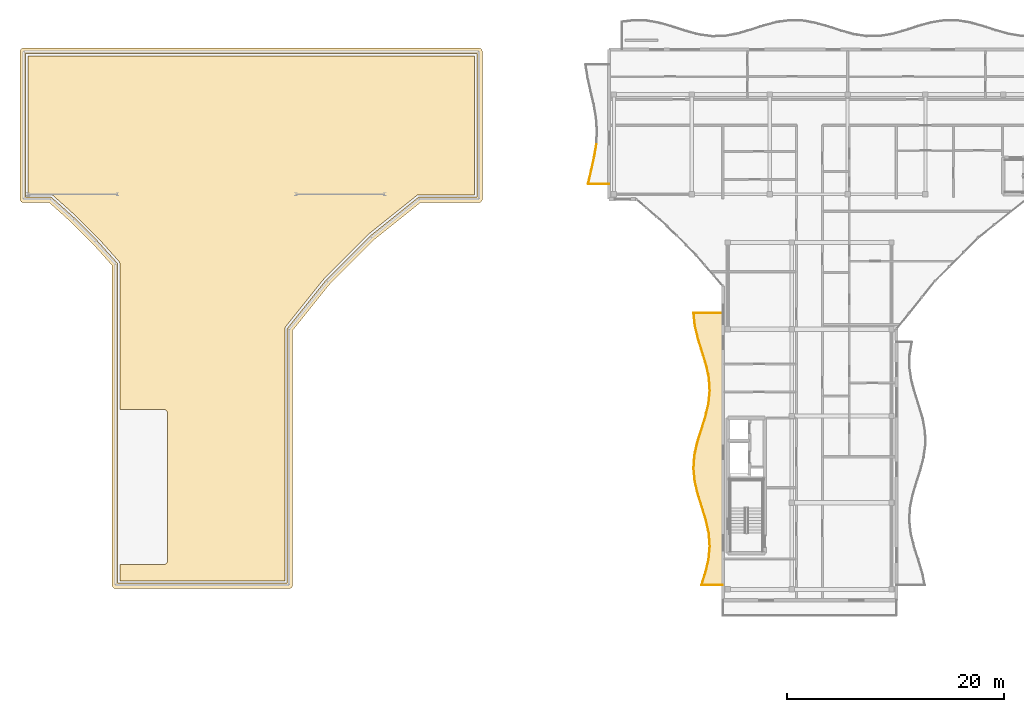
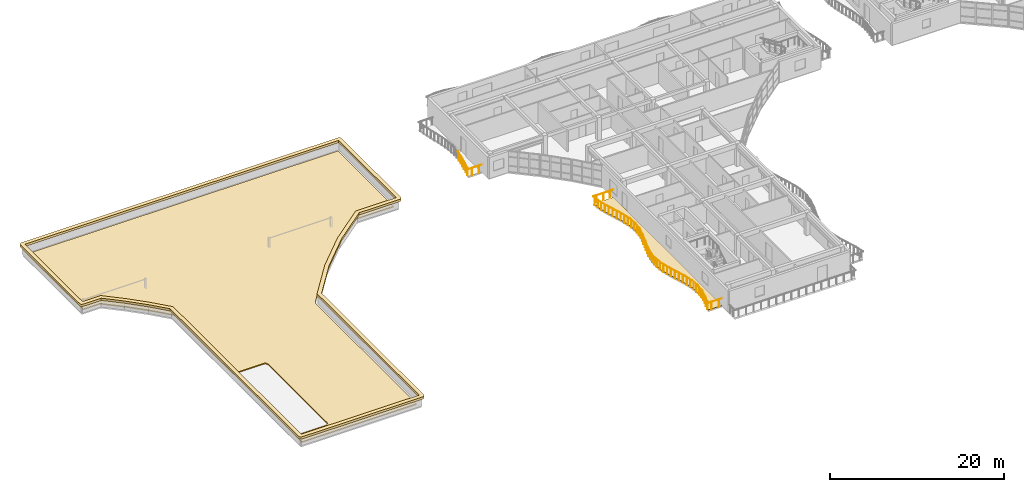
# One storey, part 30 of 39: 27 railings, 3 coverings.
"""IFC4 building model written with IfcOpenShell, lengths in metres."""

from ifc_helpers import new_model, si_unit, direction, frame, origin, origin_2d, place, context, subcontext, project, spatial, polyline, circle, outline, extrude, material, layer, layer_set, type_object, element, save


model = new_model("IFC4")

# Units and contexts
model_context = context("Model", 3, precision=1e-05, world=origin(), true_north=direction((0.0, 1.0)))
body_context = subcontext(model_context, "Body", "Model", "MODEL_VIEW")
ifc_project = project(units=[si_unit("LENGTHUNIT", "METRE"), si_unit("AREAUNIT", "SQUARE_METRE"), si_unit("VOLUMEUNIT", "CUBIC_METRE"), si_unit("PLANEANGLEUNIT", "RADIAN"), si_unit("MASSUNIT", "GRAM", prefix="KILO")], contexts=[model_context])

# Site, building, storey
site_placement = place(None, origin())
site = spatial("IfcSite", under=ifc_project, at=site_placement, CompositionType="ELEMENT")
building_placement = place(site_placement, origin())
building = spatial("IfcBuilding", under=site, at=building_placement, Name="Keldmere Railside Commons", CompositionType="ELEMENT")
storey_placement = place(building_placement, frame((0.0, 0.0, 32.9599609375)))
storey = spatial("IfcBuildingStorey", under=building, at=storey_placement, Name="L10", CompositionType="ELEMENT", Elevation=32.9599609375)

# Railings
ifc_material_1 = material(Name="Steel F-24 (S235)", Category="steel")
railing_type = type_object("IfcRailingType", Name="Balcony & Terrace Steel Balustrade 1100", PredefinedType="BALUSTRADE", material=ifc_material_1)
railing_1_placement = place(storey_placement, frame((104.0, 64.39990234375, 0.0)))
element("IfcRailing", 1, at=railing_1_placement, inside=storey, type_object=railing_type, Name="GR-1 GRD-L10-3005", PredefinedType="BALUSTRADE", context=body_context, shape_type="SweptSolid", body=[
    extrude(circle(Radius=0.02392578125, at=origin_2d()), frame((0.0, 0.0, 1.076171875), z_axis=(-1.0, 0.0, 0.0), x_axis=(0.0, -1.0, 0.0)), (0.0, 0.0, 1.0), 1.968505859375),
    extrude(circle(Radius=0.02099609375, at=origin_2d()), frame((-0.4921875, 0.0, 0.0)), (0.0, 0.0, 1.0), 1.048095703125),
    extrude(circle(Radius=0.02099609375, at=origin_2d()), frame((-1.476318359375, 0.0, 0.0)), (0.0, 0.0, 1.0), 1.048095703125),
])
railing_2_placement = place(storey_placement, frame((102.031494140625, 64.39990234375, 0.0)))
element("IfcRailing", 2, at=railing_2_placement, inside=storey, type_object=railing_type, Name="GR-1 GRD-L10-3006", PredefinedType="BALUSTRADE", context=body_context, shape_type="SweptSolid", body=[
    extrude(circle(Radius=0.02392578125, at=origin_2d()), frame((0.0, 0.0, 1.076171875), z_axis=(0.300049507952, 0.953923630475, 0.0), x_axis=(-0.953923630475, 0.300049507952, 0.0)), (0.0, 0.0, 1.0), 1.2529296875),
    extrude(circle(Radius=0.02099609375, at=origin_2d()), frame((0.093994140625, 0.298828125, 0.0)), (0.0, 0.0, 1.0), 1.048095703125),
    extrude(circle(Radius=0.02099609375, at=origin_2d()), frame((0.281982421875, 0.896484375, 0.0)), (0.0, 0.0, 1.0), 1.048095703125),
])
railing_3_placement = place(storey_placement, frame((102.407470703125, 65.59521484375, 0.0)))
element("IfcRailing", 3, at=railing_3_placement, inside=storey, type_object=railing_type, Name="GR-1 GRD-L10-3007", PredefinedType="BALUSTRADE", context=body_context, shape_type="SweptSolid", body=[
    extrude(circle(Radius=0.02392578125, at=origin_2d()), frame((0.0, 0.0, 1.076171875), z_axis=(0.228850931836, 0.973461478949, 0.0), x_axis=(-0.973461478949, 0.228850931836, 0.0)), (0.0, 0.0, 1.0), 1.227783203125),
    extrude(circle(Radius=0.02099609375, at=origin_2d()), frame((0.0703125, 0.298828125, 0.0)), (0.0, 0.0, 1.0), 1.048095703125),
    extrude(circle(Radius=0.02099609375, at=origin_2d()), frame((0.210693359375, 0.896484375, 0.0)), (0.0, 0.0, 1.0), 1.048095703125),
])
railing_4_placement = place(storey_placement, frame((102.6884765625, 66.79052734375, 0.0)))
element("IfcRailing", 4, at=railing_4_placement, inside=storey, type_object=railing_type, Name="GR-1 GRD-L10-3008", PredefinedType="BALUSTRADE", context=body_context, shape_type="SweptSolid", body=[
    extrude(circle(Radius=0.02392578125, at=origin_2d()), frame((0.0, 0.0, 1.076171875), z_axis=(0.092553019351, 0.995707757632, 0.0), x_axis=(-0.995707757632, 0.092553019351, 0.0)), (0.0, 0.0, 1.0), 1.2001953125),
    extrude(circle(Radius=0.02099609375, at=origin_2d()), frame((0.02783203125, 0.298828125, 0.0)), (0.0, 0.0, 1.0), 1.048095703125),
    extrude(circle(Radius=0.02099609375, at=origin_2d()), frame((0.083251953125, 0.896240234375, 0.0)), (0.0, 0.0, 1.0), 1.048095703125),
])
railing_5_placement = place(storey_placement, frame((102.799560546875, 67.985595703125, 0.0)))
element("IfcRailing", 5, at=railing_5_placement, inside=storey, type_object=railing_type, Name="GR-1 GRD-L10-3009", PredefinedType="BALUSTRADE", context=body_context, shape_type="SweptSolid", body=[
    extrude(circle(Radius=0.02392578125, at=origin_2d()), frame((0.0, 0.0, 1.076171875), z_axis=(-0.073331443036, 0.99730762529, 0.0), x_axis=(-0.99730762529, -0.073331443036, 0.0)), (0.0, 0.0, 1.0), 1.198486328125),
    extrude(circle(Radius=0.02099609375, at=origin_2d()), frame((-0.02197265625, 0.298828125, 0.0)), (0.0, 0.0, 1.0), 1.048095703125),
    extrude(circle(Radius=0.02099609375, at=origin_2d()), frame((-0.06591796875, 0.896484375, 0.0)), (0.0, 0.0, 1.0), 1.048095703125),
])
railing_6_placement = place(storey_placement, frame((102.711669921875, 69.180908203125, 0.0)))
element("IfcRailing", 6, at=railing_6_placement, inside=storey, type_object=railing_type, Name="GR-1 GRD-L10-3010", PredefinedType="BALUSTRADE", context=body_context, shape_type="SweptSolid", body=[
    extrude(circle(Radius=0.02392578125, at=origin_2d()), frame((0.0, 0.0, 1.076171875), z_axis=(-0.215790003827, 0.976439795506, 0.0), x_axis=(-0.976439795506, -0.215790003827, 0.0)), (0.0, 0.0, 1.0), 1.22412109375),
    extrude(circle(Radius=0.02099609375, at=origin_2d()), frame((-0.06591796875, 0.298828125, 0.0)), (0.0, 0.0, 1.0), 1.048095703125),
    extrude(circle(Radius=0.02099609375, at=origin_2d()), frame((-0.1982421875, 0.896484375, 0.0)), (0.0, 0.0, 1.0), 1.048095703125),
])
railing_7_placement = place(storey_placement, frame((102.447509765625, 70.376220703125, 0.0)))
element("IfcRailing", 7, at=railing_7_placement, inside=storey, type_object=railing_type, Name="GR-1 GRD-L10-3011", PredefinedType="BALUSTRADE", context=body_context, shape_type="SweptSolid", body=[
    extrude(circle(Radius=0.02392578125, at=origin_2d()), frame((0.0, 0.0, 1.076171875), z_axis=(-0.295484413973, 0.955347560367, 0.0), x_axis=(-0.955347560367, -0.295484413973, 0.0)), (0.0, 0.0, 1.0), 1.2509765625),
    extrude(circle(Radius=0.02099609375, at=origin_2d()), frame((-0.09228515625, 0.298828125, 0.0)), (0.0, 0.0, 1.0), 1.048095703125),
    extrude(circle(Radius=0.02099609375, at=origin_2d()), frame((-0.27734375, 0.896240234375, 0.0)), (0.0, 0.0, 1.0), 1.048095703125),
])
railing_8_placement = place(storey_placement, frame((102.077880859375, 71.5712890625, 0.0)))
element("IfcRailing", 8, at=railing_8_placement, inside=storey, type_object=railing_type, Name="GR-1 GRD-L10-3012", PredefinedType="BALUSTRADE", context=body_context, shape_type="SweptSolid", body=[
    extrude(circle(Radius=0.02392578125, at=origin_2d()), frame((0.0, 0.0, 1.076171875), z_axis=(-0.300935600007, 0.953644464488, 0.0), x_axis=(-0.953644464488, -0.300935600007, 0.0)), (0.0, 0.0, 1.0), 1.25341796875),
    extrude(circle(Radius=0.02099609375, at=origin_2d()), frame((-0.09423828125, 0.298828125, 0.0)), (0.0, 0.0, 1.0), 1.048095703125),
    extrude(circle(Radius=0.02099609375, at=origin_2d()), frame((-0.282958984375, 0.896484375, 0.0)), (0.0, 0.0, 1.0), 1.048095703125),
])
railing_9_placement = place(storey_placement, frame((101.70068359375, 72.7666015625, 0.0)))
element("IfcRailing", 9, at=railing_9_placement, inside=storey, type_object=railing_type, Name="GR-1 GRD-L10-3013", PredefinedType="BALUSTRADE", context=body_context, shape_type="SweptSolid", body=[
    extrude(circle(Radius=0.02392578125, at=origin_2d()), frame((0.0, 0.0, 1.076171875), z_axis=(-0.231298144271, 0.972882916109, 0.0), x_axis=(-0.972882916109, -0.231298144271, 0.0)), (0.0, 0.0, 1.0), 1.228515625),
    extrude(circle(Radius=0.02099609375, at=origin_2d()), frame((-0.071044921875, 0.298828125, 0.0)), (0.0, 0.0, 1.0), 1.048095703125),
    extrude(circle(Radius=0.02099609375, at=origin_2d()), frame((-0.213134765625, 0.896484375, 0.0)), (0.0, 0.0, 1.0), 1.048095703125),
])
railing_10_placement = place(storey_placement, frame((101.41650390625, 73.9619140625, 0.0)))
element("IfcRailing", 10, at=railing_10_placement, inside=storey, type_object=railing_type, Name="GR-1 GRD-L10-3014", PredefinedType="BALUSTRADE", context=body_context, shape_type="SweptSolid", body=[
    extrude(circle(Radius=0.02392578125, at=origin_2d()), frame((0.0, 0.0, 1.076171875), z_axis=(-0.096382680857, 0.995344351886, 0.0), x_axis=(-0.995344351886, -0.096382680857, 0.0)), (0.0, 0.0, 1.0), 1.20068359375),
    extrude(circle(Radius=0.02099609375, at=origin_2d()), frame((-0.02880859375, 0.298828125, 0.0)), (0.0, 0.0, 1.0), 1.048095703125),
    extrude(circle(Radius=0.02099609375, at=origin_2d()), frame((-0.0869140625, 0.896240234375, 0.0)), (0.0, 0.0, 1.0), 1.048095703125),
])
railing_11_placement = place(storey_placement, frame((101.30078125, 75.156982421875, 0.0)))
element("IfcRailing", 11, at=railing_11_placement, inside=storey, type_object=railing_type, Name="GR-1 GRD-L10-3015", PredefinedType="BALUSTRADE", context=body_context, shape_type="SweptSolid", body=[
    extrude(circle(Radius=0.02392578125, at=origin_2d()), frame((0.0, 0.0, 1.076171875), z_axis=(0.069480374112, 0.997583318632, 0.0), x_axis=(-0.997583318632, 0.069480374112, 0.0)), (0.0, 0.0, 1.0), 1.1982421875),
    extrude(circle(Radius=0.02099609375, at=origin_2d()), frame((0.020751953125, 0.298828125, 0.0)), (0.0, 0.0, 1.0), 1.048095703125),
    extrude(circle(Radius=0.02099609375, at=origin_2d()), frame((0.0625, 0.896484375, 0.0)), (0.0, 0.0, 1.0), 1.048095703125),
])
railing_12_placement = place(storey_placement, frame((101.384033203125, 76.352294921875, 0.0)))
element("IfcRailing", 12, at=railing_12_placement, inside=storey, type_object=railing_type, Name="GR-1 GRD-L10-3016", PredefinedType="BALUSTRADE", context=body_context, shape_type="SweptSolid", body=[
    extrude(circle(Radius=0.02392578125, at=origin_2d()), frame((0.0, 0.0, 1.076171875), z_axis=(0.212935010476, 0.977066364846, 0.0), x_axis=(-0.977066364846, 0.212935010476, 0.0)), (0.0, 0.0, 1.0), 1.223388671875),
    extrude(circle(Radius=0.02099609375, at=origin_2d()), frame((0.065185546875, 0.298828125, 0.0)), (0.0, 0.0, 1.0), 1.048095703125),
    extrude(circle(Radius=0.02099609375, at=origin_2d()), frame((0.1953125, 0.896484375, 0.0)), (0.0, 0.0, 1.0), 1.048095703125),
])
railing_13_placement = place(storey_placement, frame((101.64453125, 77.547607421875, 0.0)))
element("IfcRailing", 13, at=railing_13_placement, inside=storey, type_object=railing_type, Name="GR-1 GRD-L10-3017", PredefinedType="BALUSTRADE", context=body_context, shape_type="SweptSolid", body=[
    extrude(circle(Radius=0.02392578125, at=origin_2d()), frame((0.0, 0.0, 1.076171875), z_axis=(0.294360170526, 0.955694558951, 0.0), x_axis=(-0.955694558951, 0.294360170526, 0.0)), (0.0, 0.0, 1.0), 1.250732421875),
    extrude(circle(Radius=0.02099609375, at=origin_2d()), frame((0.092041015625, 0.298828125, 0.0)), (0.0, 0.0, 1.0), 1.048095703125),
    extrude(circle(Radius=0.02099609375, at=origin_2d()), frame((0.276123046875, 0.896484375, 0.0)), (0.0, 0.0, 1.0), 1.048095703125),
])
railing_14_placement = place(storey_placement, frame((102.0126953125, 78.742919921875, 0.0)))
element("IfcRailing", 14, at=railing_14_placement, inside=storey, type_object=railing_type, Name="GR-1 GRD-L10-3018", PredefinedType="BALUSTRADE", context=body_context, shape_type="SweptSolid", body=[
    extrude(circle(Radius=0.02392578125, at=origin_2d()), frame((0.0, 0.0, 1.076171875), z_axis=(0.301699927313, 0.953402933633, 0.0), x_axis=(-0.953402933633, 0.301699927313, 0.0)), (0.0, 0.0, 1.0), 1.25341796875),
    extrude(circle(Radius=0.02099609375, at=origin_2d()), frame((0.094482421875, 0.298828125, 0.0)), (0.0, 0.0, 1.0), 1.048095703125),
    extrude(circle(Radius=0.02099609375, at=origin_2d()), frame((0.28369140625, 0.896240234375, 0.0)), (0.0, 0.0, 1.0), 1.048095703125),
])
railing_15_placement = place(storey_placement, frame((102.390869140625, 79.93798828125, 0.0)))
element("IfcRailing", 15, at=railing_15_placement, inside=storey, type_object=railing_type, Name="GR-1 GRD-L10-3019", PredefinedType="BALUSTRADE", context=body_context, shape_type="SweptSolid", body=[
    extrude(circle(Radius=0.02392578125, at=origin_2d()), frame((0.0, 0.0, 1.076171875), z_axis=(0.233928701488, 0.972253754233, 0.0), x_axis=(-0.972253754233, 0.233928701488, 0.0)), (0.0, 0.0, 1.0), 1.2294921875),
    extrude(circle(Radius=0.02099609375, at=origin_2d()), frame((0.07177734375, 0.298828125, 0.0)), (0.0, 0.0, 1.0), 1.048095703125),
    extrude(circle(Radius=0.02099609375, at=origin_2d()), frame((0.2158203125, 0.896484375, 0.0)), (0.0, 0.0, 1.0), 1.048095703125),
])
railing_16_placement = place(storey_placement, frame((102.678466796875, 81.13330078125, 0.0)))
element("IfcRailing", 16, at=railing_16_placement, inside=storey, type_object=railing_type, Name="GR-1 GRD-L10-3020", PredefinedType="BALUSTRADE", context=body_context, shape_type="SweptSolid", body=[
    extrude(circle(Radius=0.02392578125, at=origin_2d()), frame((0.0, 0.0, 1.076171875), z_axis=(0.100187804789, 0.994968544112, 0.0), x_axis=(-0.994968544112, 0.100187804789, 0.0)), (0.0, 0.0, 1.0), 1.201416015625),
    extrude(circle(Radius=0.02099609375, at=origin_2d()), frame((0.030029296875, 0.298828125, 0.0)), (0.0, 0.0, 1.0), 1.048095703125),
    extrude(circle(Radius=0.02099609375, at=origin_2d()), frame((0.09033203125, 0.896484375, 0.0)), (0.0, 0.0, 1.0), 1.048095703125),
])
railing_17_placement = place(storey_placement, frame((102.798828125, 82.32861328125, 0.0)))
element("IfcRailing", 17, at=railing_17_placement, inside=storey, type_object=railing_type, Name="GR-1 GRD-L10-3021", PredefinedType="BALUSTRADE", context=body_context, shape_type="SweptSolid", body=[
    extrude(circle(Radius=0.02392578125, at=origin_2d()), frame((0.0, 0.0, 1.076171875), z_axis=(-0.065639545386, 0.997843399578, 0.0), x_axis=(-0.997843399578, -0.065639545386, 0.0)), (0.0, 0.0, 1.0), 1.19775390625),
    extrude(circle(Radius=0.02099609375, at=origin_2d()), frame((-0.01953125, 0.298828125, 0.0)), (0.0, 0.0, 1.0), 1.048095703125),
    extrude(circle(Radius=0.02099609375, at=origin_2d()), frame((-0.05908203125, 0.896240234375, 0.0)), (0.0, 0.0, 1.0), 1.048095703125),
])
railing_18_placement = place(storey_placement, frame((102.72021484375, 83.523681640625, 0.0)))
element("IfcRailing", 18, at=railing_18_placement, inside=storey, type_object=railing_type, Name="GR-1 GRD-L10-3022", PredefinedType="BALUSTRADE", context=body_context, shape_type="SweptSolid", body=[
    extrude(circle(Radius=0.02392578125, at=origin_2d()), frame((0.0, 0.0, 1.076171875), z_axis=(-0.210074552505, 0.977685369835, 0.0), x_axis=(-0.977685369835, -0.210074552505, 0.0)), (0.0, 0.0, 1.0), 1.22265625),
    extrude(circle(Radius=0.02099609375, at=origin_2d()), frame((-0.064208984375, 0.298828125, 0.0)), (0.0, 0.0, 1.0), 1.048095703125),
    extrude(circle(Radius=0.02099609375, at=origin_2d()), frame((-0.192626953125, 0.896484375, 0.0)), (0.0, 0.0, 1.0), 1.048095703125),
])
railing_19_placement = place(storey_placement, frame((102.46337890625, 84.718994140625, 0.0)))
element("IfcRailing", 19, at=railing_19_placement, inside=storey, type_object=railing_type, Name="GR-1 GRD-L10-3023", PredefinedType="BALUSTRADE", context=body_context, shape_type="SweptSolid", body=[
    extrude(circle(Radius=0.02392578125, at=origin_2d()), frame((0.0, 0.0, 1.076171875), z_axis=(-0.29328990499, 0.956023551818, 0.0), x_axis=(-0.956023551818, -0.29328990499, 0.0)), (0.0, 0.0, 1.0), 1.250244140625),
    extrude(circle(Radius=0.02099609375, at=origin_2d()), frame((-0.091796875, 0.298828125, 0.0)), (0.0, 0.0, 1.0), 1.048095703125),
    extrude(circle(Radius=0.02099609375, at=origin_2d()), frame((-0.27490234375, 0.896484375, 0.0)), (0.0, 0.0, 1.0), 1.048095703125),
])
railing_20_placement = place(storey_placement, frame((102.0966796875, 85.914306640625, 0.0)))
element("IfcRailing", 20, at=railing_20_placement, inside=storey, type_object=railing_type, Name="GR-1 GRD-L10-3024", PredefinedType="BALUSTRADE", context=body_context, shape_type="SweptSolid", body=[
    extrude(circle(Radius=0.02392578125, at=origin_2d()), frame((0.0, 0.0, 1.076171875), z_axis=(-0.302351726925, 0.953196429507, 0.0), x_axis=(-0.953196429507, -0.302351726925, 0.0)), (0.0, 0.0, 1.0), 1.25390625),
    extrude(circle(Radius=0.02099609375, at=origin_2d()), frame((-0.0947265625, 0.298828125, 0.0)), (0.0, 0.0, 1.0), 1.048095703125),
    extrude(circle(Radius=0.02099609375, at=origin_2d()), frame((-0.284423828125, 0.896484375, 0.0)), (0.0, 0.0, 1.0), 1.048095703125),
])
railing_21_placement = place(storey_placement, frame((101.717529296875, 87.109619140625, 0.0)))
element("IfcRailing", 21, at=railing_21_placement, inside=storey, type_object=railing_type, Name="GR-1 GRD-L10-3025", PredefinedType="BALUSTRADE", context=body_context, shape_type="SweptSolid", body=[
    extrude(circle(Radius=0.02392578125, at=origin_2d()), frame((0.0, 0.0, 1.076171875), z_axis=(-0.236412360461, 0.971652816505, 0.0), x_axis=(-0.971652816505, -0.236412360461, 0.0)), (0.0, 0.0, 1.0), 1.22998046875),
    extrude(circle(Radius=0.02099609375, at=origin_2d()), frame((-0.07275390625, 0.298828125, 0.0)), (0.0, 0.0, 1.0), 1.048095703125),
    extrude(circle(Radius=0.02099609375, at=origin_2d()), frame((-0.218017578125, 0.896240234375, 0.0)), (0.0, 0.0, 1.0), 1.048095703125),
])
railing_22_placement = place(storey_placement, frame((101.4267578125, 88.3046875, 0.0)))
element("IfcRailing", 22, at=railing_22_placement, inside=storey, type_object=railing_type, Name="GR-1 GRD-L10-3026", PredefinedType="BALUSTRADE", context=body_context, shape_type="SweptSolid", body=[
    extrude(circle(Radius=0.02392578125, at=origin_2d()), frame((0.0, 0.0, 1.076171875), z_axis=(-0.104007995922, 0.994576461005, 0.0), x_axis=(-0.994576461005, -0.104007995922, 0.0)), (0.0, 0.0, 1.0), 1.201904296875),
    extrude(circle(Radius=0.02099609375, at=origin_2d()), frame((-0.03125, 0.298828125, 0.0)), (0.0, 0.0, 1.0), 1.048095703125),
    extrude(circle(Radius=0.02099609375, at=origin_2d()), frame((-0.09375, 0.896484375, 0.0)), (0.0, 0.0, 1.0), 1.048095703125),
])
railing_23_placement = place(storey_placement, frame((101.3017578125, 89.5, 0.0)))
element("IfcRailing", 23, at=railing_23_placement, inside=storey, type_object=railing_type, Name="GR-1 GRD-L10-3027", PredefinedType="BALUSTRADE", context=body_context, shape_type="SweptSolid", body=[
    extrude(circle(Radius=0.02392578125, at=origin_2d()), frame((0.0, 0.0, 1.076171875), z_axis=(1.0, 0.0, 0.0), x_axis=(0.0, 1.0, 0.0)), (0.0, 0.0, 1.0), 2.6982421875),
    extrude(circle(Radius=0.02099609375, at=origin_2d()), frame((0.44970703125, 0.0, 0.0)), (0.0, 0.0, 1.0), 1.048095703125),
    extrude(circle(Radius=0.02099609375, at=origin_2d()), frame((1.34912109375, 0.0, 0.0)), (0.0, 0.0, 1.0), 1.048095703125),
    extrude(circle(Radius=0.02099609375, at=origin_2d()), frame((2.24853515625, 0.0, 0.0)), (0.0, 0.0, 1.0), 1.048095703125),
])
railing_24_placement = place(storey_placement, frame((93.5, 101.39990234375, 0.0)))
element("IfcRailing", 24, at=railing_24_placement, inside=storey, type_object=railing_type, Name="GR-1 GRD-L10-3039", PredefinedType="BALUSTRADE", context=body_context, shape_type="SweptSolid", body=[
    extrude(circle(Radius=0.02392578125, at=origin_2d()), frame((0.0, 0.0, 1.076171875), z_axis=(-1.0, 0.0, 0.0), x_axis=(0.0, -1.0, 0.0)), (0.0, 0.0, 1.0), 1.925537109375),
    extrude(circle(Radius=0.02099609375, at=origin_2d()), frame((-0.4814453125, 0.0, 0.0)), (0.0, 0.0, 1.0), 1.048095703125),
    extrude(circle(Radius=0.02099609375, at=origin_2d()), frame((-1.444091796875, 0.0, 0.0)), (0.0, 0.0, 1.0), 1.048095703125),
])
railing_25_placement = place(storey_placement, frame((91.574462890625, 101.39990234375, 0.0)))
element("IfcRailing", 25, at=railing_25_placement, inside=storey, type_object=railing_type, Name="GR-1 GRD-L10-3040", PredefinedType="BALUSTRADE", context=body_context, shape_type="SweptSolid", body=[
    extrude(circle(Radius=0.02392578125, at=origin_2d()), frame((0.0, 0.0, 1.076171875), z_axis=(0.223480192677, 0.974708471022, 0.0), x_axis=(-0.974708471022, 0.223480192677, 0.0)), (0.0, 0.0, 1.0), 1.254150390625),
    extrude(circle(Radius=0.02099609375, at=origin_2d()), frame((0.070068359375, 0.3056640625, 0.0)), (0.0, 0.0, 1.0), 1.048095703125),
    extrude(circle(Radius=0.02099609375, at=origin_2d()), frame((0.210205078125, 0.916748046875, 0.0)), (0.0, 0.0, 1.0), 1.048095703125),
])
railing_26_placement = place(storey_placement, frame((91.854736328125, 102.622314453125, 0.0)))
element("IfcRailing", 26, at=railing_26_placement, inside=storey, type_object=railing_type, Name="GR-1 GRD-L10-3041", PredefinedType="BALUSTRADE", context=body_context, shape_type="SweptSolid", body=[
    extrude(circle(Radius=0.02392578125, at=origin_2d()), frame((0.0, 0.0, 1.076171875), z_axis=(0.222412301998, 0.97495270035, 0.0), x_axis=(-0.97495270035, 0.222412301998, 0.0)), (0.0, 0.0, 1.0), 1.253662109375),
    extrude(circle(Radius=0.02099609375, at=origin_2d()), frame((0.06982421875, 0.3056640625, 0.0)), (0.0, 0.0, 1.0), 1.048095703125),
    extrude(circle(Radius=0.02099609375, at=origin_2d()), frame((0.208984375, 0.91650390625, 0.0)), (0.0, 0.0, 1.0), 1.048095703125),
])
railing_27_placement = place(storey_placement, frame((92.133544921875, 103.844482421875, 0.0)))
element("IfcRailing", 27, at=railing_27_placement, inside=storey, type_object=railing_type, Name="GR-1 GRD-L10-3042", PredefinedType="BALUSTRADE", context=body_context, shape_type="SweptSolid", body=[
    extrude(circle(Radius=0.02392578125, at=origin_2d()), frame((0.0, 0.0, 1.076171875), z_axis=(0.161649141227, 0.986848293883, 0.0), x_axis=(-0.986848293883, 0.161649141227, 0.0)), (0.0, 0.0, 1.0), 1.238525390625),
    extrude(circle(Radius=0.02099609375, at=origin_2d()), frame((0.050048828125, 0.3056640625, 0.0)), (0.0, 0.0, 1.0), 1.048095703125),
    extrude(circle(Radius=0.02099609375, at=origin_2d()), frame((0.150146484375, 0.91650390625, 0.0)), (0.0, 0.0, 1.0), 1.048095703125),
])

# Coverings
ifc_material_2 = material(Name="Native Planted Green-Roof Substrate", Category="earth")
ifc_layer_1 = layer(ifc_material_2, 0.14990234375, Name="Native Green-Roof Planted Substrate 150")
ifc_layer_set_1 = layer_set([ifc_layer_1], Name="Native Planted Green-Roof Substrate")
covering_type_1 = type_object("IfcCoveringType", Name="Native Green-Roof Planted Substrate 150", PredefinedType="ROOFING", material=ifc_layer_set_1)
covering_1_placement = place(storey_placement, origin())
element("IfcCovering", 28, at=covering_1_placement, inside=storey, type_object=covering_type_1, Name="Roof Green Substrate Block C", PredefinedType="ROOFING", context=body_context, shape_type="SweptSolid", body=[
    extrude(outline(polyline([(48.39990234375, 80.60009765625), (52.39990234375, 80.60009765625), (52.439208984375, 80.59814453125), (52.47802734375, 80.59228515625), (52.51611328125, 80.582763671875), (52.552978515625, 80.569580078125), (52.588623046875, 80.552734375), (52.622314453125, 80.53271484375), (52.65380859375, 80.50927734375), (52.682861328125, 80.48291015625), (52.709228515625, 80.453857421875), (52.732666015625, 80.422119140625), (52.752685546875, 80.388671875), (52.76953125, 80.35302734375), (52.78271484375, 80.316162109375), (52.792236328125, 80.278076171875), (52.798095703125, 80.2392578125), (52.800048828125, 80.199951171875), (52.800048828125, 66.699951171875), (52.798095703125, 66.660888671875), (52.792236328125, 66.6220703125), (52.78271484375, 66.583984375), (52.76953125, 66.546875), (52.752685546875, 66.511474609375), (52.732666015625, 66.477783203125), (52.709228515625, 66.4462890625), (52.682861328125, 66.417236328125), (52.65380859375, 66.390869140625), (52.622314453125, 66.367431640625), (52.588623046875, 66.34716796875), (52.552978515625, 66.330322265625), (52.51611328125, 66.317138671875), (52.47802734375, 66.3076171875), (52.439208984375, 66.302001953125), (52.39990234375, 66.300048828125), (48.39990234375, 66.300048828125), (48.39990234375, 64.800048828125), (63.60009765625, 64.800048828125), (63.60009765625, 88.0), (63.601806640625, 88.03857421875), (63.607421875, 88.076904296875), (63.61669921875, 88.1142578125), (63.62939453125, 88.150634765625), (63.645751953125, 88.185791015625), (63.665283203125, 88.218994140625), (63.68798828125, 88.250244140625), (67.241943359375, 92.680419921875), (67.271240234375, 92.712890625), (71.287109375, 96.728759765625), (71.319580078125, 96.758056640625), (75.749755859375, 100.31201171875), (75.781005859375, 100.334716796875), (75.814208984375, 100.354248046875), (75.849365234375, 100.37060546875), (75.8857421875, 100.38330078125), (75.923095703125, 100.392578125), (75.96142578125, 100.398193359375), (76.0, 100.39990234375), (81.10009765625, 100.39990234375), (81.10009765625, 113.199951171875), (39.89990234375, 113.199951171875), (39.89990234375, 100.39990234375), (42.0, 100.39990234375), (42.041748046875, 100.397705078125), (42.0830078125, 100.391357421875), (42.123291015625, 100.380615234375), (42.162353515625, 100.365478515625), (42.199462890625, 100.3466796875), (42.234619140625, 100.323974609375), (42.26708984375, 100.2978515625), (44.375, 98.40771484375), (44.390869140625, 98.392822265625), (46.392822265625, 96.390869140625), (46.40771484375, 96.375), (48.2978515625, 94.26708984375), (48.323974609375, 94.234619140625), (48.3466796875, 94.199462890625), (48.365478515625, 94.162353515625), (48.380615234375, 94.123291015625), (48.391357421875, 94.0830078125), (48.397705078125, 94.041748046875), (48.39990234375, 94.0), (48.39990234375, 80.60009765625)])), origin(), (0.0, 0.0, 1.0), 0.150146484375),
])
ifc_material_3 = material(Name="White Precast Concrete C35/45", Category="concrete")
ifc_layer_2 = layer(ifc_material_3, 0.280029296875, Name="Postmodern Stepped Precast Cornice Band 280")
ifc_layer_set_2 = layer_set([ifc_layer_2], Name="White Precast Concrete C35/45")
covering_type_2 = type_object("IfcCoveringType", Name="Postmodern Stepped Precast Cornice Band 280", PredefinedType="CLADDING", material=ifc_layer_set_2)
covering_2_placement = place(storey_placement, frame((0.0, 0.0, 1.10009765625)))
element("IfcCovering", 29, at=covering_2_placement, inside=storey, type_object=covering_type_2, Name="CRN-1 Postmodern Crown Cornice Block C", PredefinedType="CLADDING", context=body_context, shape_type="SweptSolid", body=[
    extrude(outline(polyline([(47.679931640625, 93.877685546875), (45.877685546875, 95.887939453125), (43.887939453125, 97.877685546875), (41.877685546875, 99.679931640625), (39.5, 99.679931640625), (39.468505859375, 99.681396484375), (39.4375, 99.68603515625), (39.406982421875, 99.69384765625), (39.37744140625, 99.704345703125), (39.34912109375, 99.7177734375), (39.322265625, 99.73388671875), (39.297119140625, 99.752685546875), (39.273681640625, 99.773681640625), (39.252685546875, 99.797119140625), (39.23388671875, 99.822265625), (39.2177734375, 99.84912109375), (39.204345703125, 99.87744140625), (39.19384765625, 99.906982421875), (39.18603515625, 99.9375), (39.181396484375, 99.968505859375), (39.179931640625, 100.0), (39.179931640625, 113.60009765625), (39.181396484375, 113.63134765625), (39.18603515625, 113.662353515625), (39.19384765625, 113.69287109375), (39.204345703125, 113.722412109375), (39.2177734375, 113.750732421875), (39.23388671875, 113.77783203125), (39.252685546875, 113.802978515625), (39.273681640625, 113.826416015625), (39.297119140625, 113.847412109375), (39.322265625, 113.8662109375), (39.34912109375, 113.882080078125), (39.37744140625, 113.8955078125), (39.406982421875, 113.90625), (39.4375, 113.913818359375), (39.468505859375, 113.91845703125), (39.5, 113.919921875), (81.5, 113.919921875), (81.531494140625, 113.91845703125), (81.5625, 113.913818359375), (81.593017578125, 113.90625), (81.62255859375, 113.8955078125), (81.65087890625, 113.882080078125), (81.677734375, 113.8662109375), (81.702880859375, 113.847412109375), (81.726318359375, 113.826416015625), (81.747314453125, 113.802978515625), (81.76611328125, 113.77783203125), (81.7822265625, 113.750732421875), (81.795654296875, 113.722412109375), (81.80615234375, 113.69287109375), (81.81396484375, 113.662353515625), (81.818603515625, 113.63134765625), (81.820068359375, 113.60009765625), (81.820068359375, 100.0), (81.818603515625, 99.968505859375), (81.81396484375, 99.9375), (81.80615234375, 99.906982421875), (81.795654296875, 99.87744140625), (81.7822265625, 99.84912109375), (81.76611328125, 99.822265625), (81.747314453125, 99.797119140625), (81.726318359375, 99.773681640625), (81.702880859375, 99.752685546875), (81.677734375, 99.73388671875), (81.65087890625, 99.7177734375), (81.62255859375, 99.704345703125), (81.593017578125, 99.69384765625), (81.5625, 99.68603515625), (81.531494140625, 99.681396484375), (81.5, 99.679931640625), (76.112548828125, 99.679931640625), (71.783935546875, 96.207275390625), (67.792724609375, 92.216064453125), (64.320068359375, 87.887451171875), (64.320068359375, 64.39990234375), (64.318603515625, 64.36865234375), (64.31396484375, 64.337646484375), (64.30615234375, 64.30712890625), (64.295654296875, 64.277587890625), (64.2822265625, 64.249267578125), (64.26611328125, 64.22216796875), (64.247314453125, 64.197021484375), (64.226318359375, 64.173583984375), (64.202880859375, 64.152587890625), (64.177734375, 64.1337890625), (64.15087890625, 64.117919921875), (64.12255859375, 64.1044921875), (64.093017578125, 64.09375), (64.0625, 64.086181640625), (64.031494140625, 64.08154296875), (64.0, 64.080078125), (48.0, 64.080078125), (47.968505859375, 64.08154296875), (47.9375, 64.086181640625), (47.906982421875, 64.09375), (47.87744140625, 64.1044921875), (47.84912109375, 64.117919921875), (47.822265625, 64.1337890625), (47.797119140625, 64.152587890625), (47.773681640625, 64.173583984375), (47.752685546875, 64.197021484375), (47.73388671875, 64.22216796875), (47.7177734375, 64.249267578125), (47.704345703125, 64.277587890625), (47.69384765625, 64.30712890625), (47.68603515625, 64.337646484375), (47.681396484375, 64.36865234375), (47.679931640625, 64.39990234375), (47.679931640625, 93.877685546875)]), holes=[polyline([(48.179931640625, 64.580078125), (48.179931640625, 94.0), (48.178955078125, 94.018798828125), (48.176025390625, 94.037353515625), (48.171142578125, 94.055419921875), (48.16455078125, 94.072998046875), (48.156005859375, 94.08984375), (48.145751953125, 94.10546875), (48.134033203125, 94.1201171875), (46.243896484375, 96.228271484375), (46.2373046875, 96.2353515625), (44.2353515625, 98.2373046875), (44.228271484375, 98.243896484375), (42.1201171875, 100.134033203125), (42.10546875, 100.145751953125), (42.08984375, 100.156005859375), (42.072998046875, 100.16455078125), (42.055419921875, 100.171142578125), (42.037353515625, 100.176025390625), (42.018798828125, 100.178955078125), (42.0, 100.179931640625), (39.679931640625, 100.179931640625), (39.679931640625, 113.419921875), (81.320068359375, 113.419921875), (81.320068359375, 100.179931640625), (76.0, 100.179931640625), (75.982666015625, 100.17919921875), (75.96533203125, 100.1767578125), (75.948486328125, 100.172607421875), (75.93212890625, 100.166748046875), (75.91650390625, 100.159423828125), (75.9013671875, 100.150634765625), (75.887451171875, 100.140380859375), (71.45751953125, 96.58642578125), (71.442626953125, 96.5732421875), (67.4267578125, 92.557373046875), (67.41357421875, 92.54248046875), (63.859619140625, 88.112548828125), (63.849365234375, 88.0986328125), (63.840576171875, 88.08349609375), (63.833251953125, 88.06787109375), (63.827392578125, 88.051513671875), (63.8232421875, 88.03466796875), (63.82080078125, 88.017333984375), (63.820068359375, 88.0), (63.820068359375, 64.580078125), (48.179931640625, 64.580078125)])]), origin(), (0.0, 0.0, 1.0), 0.31982421875),
])
ifc_layer_3 = layer(ifc_material_3, 0.044921875, Name="White Architectural Balcony Ribbon Cladding 45")
ifc_layer_set_3 = layer_set([ifc_layer_3], Name="White Precast Concrete C35/45")
covering_type_3 = type_object("IfcCoveringType", Name="White Architectural Balcony Ribbon Cladding 45", PredefinedType="FLOORING", material=ifc_layer_set_3)
covering_3_placement = place(storey_placement, origin())
element("IfcCovering", 30, at=covering_3_placement, inside=storey, type_object=covering_type_3, Name="CLG-WB B L10 CW White Balcony Ribbon", PredefinedType="FLOORING", context=body_context, shape_type="SweptSolid", body=[
    extrude(outline(polyline([(103.9599609375, 89.4599609375), (101.34619140625, 89.4599609375), (101.46630859375, 88.3115234375), (101.756103515625, 87.120361328125), (102.134765625, 85.926513671875), (102.134765625, 85.926025390625), (102.50146484375, 84.730712890625), (102.50244140625, 84.727294921875), (102.75927734375, 83.5322265625), (102.760009765625, 83.5263671875), (102.838623046875, 82.331298828125), (102.8388671875, 82.327880859375), (102.838623046875, 82.32470703125), (102.71826171875, 81.12939453125), (102.71728515625, 81.123779296875), (102.4296875, 79.9287109375), (102.428955078125, 79.926025390625), (102.05078125, 78.73095703125), (101.68310546875, 77.537353515625), (101.423828125, 76.3466796875), (101.3408203125, 75.15771484375), (101.4560546875, 73.968505859375), (101.739501953125, 72.77734375), (102.115966796875, 71.58349609375), (102.1162109375, 71.583251953125), (102.48583984375, 70.387939453125), (102.48681640625, 70.384765625), (102.750732421875, 69.189697265625), (102.75146484375, 69.183837890625), (102.839599609375, 67.988525390625), (102.839599609375, 67.9853515625), (102.83935546875, 67.98193359375), (102.728271484375, 66.786865234375), (102.727294921875, 66.78125), (102.4462890625, 65.5859375), (102.445556640625, 65.583251953125), (102.0859375, 64.43994140625), (103.9599609375, 64.43994140625), (103.9599609375, 89.4599609375)])), origin(), (0.0, 0.0, 1.0), 0.044921875),
])

save(model, "model.ifc")
